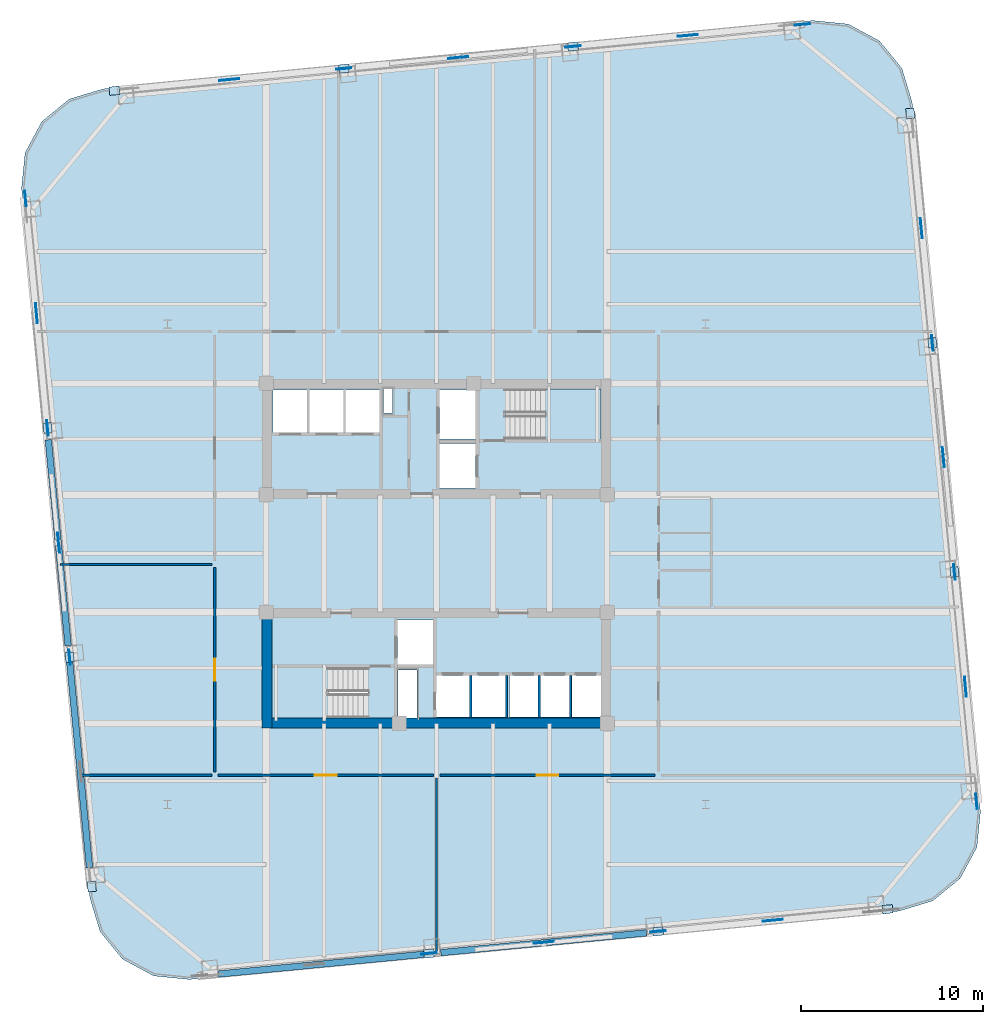
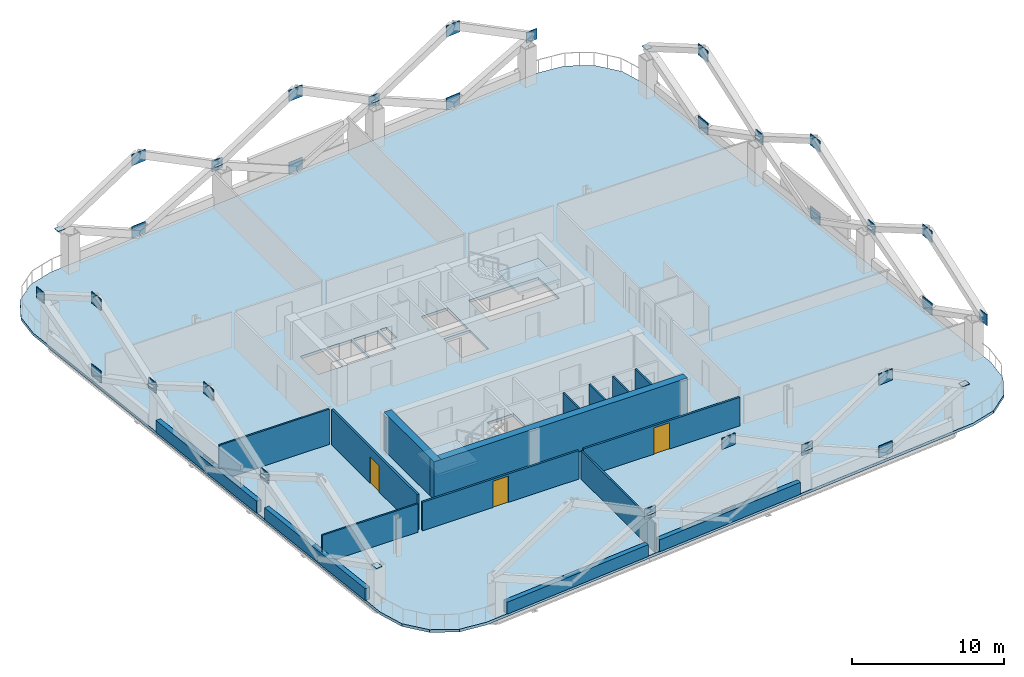
# One storey, part 3 of 8: 43 plates, 16 walls, 3 doors, 3 slabs, 3 openings, 2 elements without a shape of their own.
"""IFC4 building model written with IfcOpenShell, lengths in metres."""

from ifc_helpers import new_model, si_unit, direction, frame, frame_2d, origin, origin_2d, place, context, subcontext, project, spatial, polyline, rectangle, outline, extrude, material, layer, layer_set, type_object, element, fill, aggregate, save


model = new_model("IFC4")

# Units and contexts
model_context = context("Model", 3, precision=1e-05, world=origin(), true_north=direction((0.0, 1.0)))
body_context = subcontext(model_context, "Body", "Model", "MODEL_VIEW")
ifc_project = project(units=[si_unit("LENGTHUNIT", "METRE"), si_unit("AREAUNIT", "SQUARE_METRE"), si_unit("VOLUMEUNIT", "CUBIC_METRE"), si_unit("PLANEANGLEUNIT", "RADIAN"), si_unit("MASSUNIT", "GRAM", prefix="KILO")], contexts=[model_context])

# Site, building, storey
site_placement = place(None, origin())
site = spatial("IfcSite", under=ifc_project, at=site_placement, CompositionType="ELEMENT")
building_placement = place(site_placement, origin())
building = spatial("IfcBuilding", under=site, at=building_placement, Name="Qhalaya Broadcast Tower", CompositionType="ELEMENT")
storey_placement = place(building_placement, frame((0.0, 0.0, 93.85009765625)))
storey = spatial("IfcBuildingStorey", under=building, at=storey_placement, Name="L27", CompositionType="ELEMENT", Elevation=93.85009765625)

# Plates
ifc_material_1 = material(Name="Structural Steel ASTM A572 Grade 50", Category="steel")
ifc_layer_1 = layer(ifc_material_1, 0.054931640625, Name="Structural Steel ASTM A572 Grade 50")
ifc_layer_set_1 = layer_set([ifc_layer_1], Name="Structural Steel ASTM A572 Grade 50")
plate_type_1 = type_object("IfcPlateType", Name="Exoskeleton Diamond Node Gusset Plate NP-01", PredefinedType="USERDEFINED", material=ifc_layer_set_1)
for number, where, z_axis, x_axis, name in (
    (1, (5.882568359375, -20.78759765625, 0.2099609375), (0.0, 0.0, 1.0), (0.995396198367, 0.09584575252, 0.0), "Exoskeleton Diamond Node B2-S2-BOT"),
    (2, (5.882568359375, -20.78759765625, 5.989990234375), (0.0, 0.0, 1.0), (0.995396198367, 0.09584575252, 0.0), "Exoskeleton Diamond Node B2-S2-TOP"),
):
    element("IfcPlate", number, at=place(storey_placement, frame(where, z_axis=z_axis, x_axis=x_axis)), inside=storey, type_object=plate_type_1, Name=name, ObjectType="GUSSET_PLATE", PredefinedType="USERDEFINED", context=body_context, shape_type="SweptSolid", body=[
        extrude(rectangle(XDim=1.10009765625, YDim=0.054931640625, at=origin_2d()), origin(), (0.0, 0.0, 1.0), 0.89990234375),
    ])
plate_1_placement = place(storey_placement, frame((-0.421630859375, -21.39453125, 2.884765625), z_axis=(0.0, 0.0, 1.0), x_axis=(0.995396198367, 0.09584575252, 0.0)))
element("IfcPlate", 3, at=plate_1_placement, inside=storey, type_object=plate_type_1, Name="Exoskeleton Diamond Node B2-S2-MDL", ObjectType="GUSSET_PLATE", PredefinedType="USERDEFINED", context=body_context, shape_type="SweptSolid", body=[
    extrude(rectangle(XDim=0.85009765625, YDim=0.054931640625, at=origin_2d()), origin(), (0.0, 0.0, 1.0), 0.85009765625),
])
for number, where, z_axis, x_axis, name in (
    (4, (18.49072265625, -19.573486328125, 0.2099609375), (0.0, 0.0, 1.0), (0.995396198367, 0.09584575252, 0.0), "Exoskeleton Diamond Node B2-S3-BOT"),
    (5, (18.49072265625, -19.573486328125, 5.989990234375), (0.0, 0.0, 1.0), (0.995396198367, 0.09584575252, 0.0), "Exoskeleton Diamond Node B2-S3-TOP"),
):
    element("IfcPlate", number, at=place(storey_placement, frame(where, z_axis=z_axis, x_axis=x_axis)), inside=storey, type_object=plate_type_1, Name=name, ObjectType="GUSSET_PLATE", PredefinedType="USERDEFINED", context=body_context, shape_type="SweptSolid", body=[
        extrude(rectangle(XDim=1.10009765625, YDim=0.054931640625, at=origin_2d()), origin(), (0.0, 0.0, 1.0), 0.89990234375),
    ])
plate_2_placement = place(storey_placement, frame((12.1865234375, -20.180419921875, 2.884765625), z_axis=(0.0, 0.0, 1.0), x_axis=(0.995396198367, 0.09584575252, 0.0)))
element("IfcPlate", 6, at=plate_2_placement, inside=storey, type_object=plate_type_1, Name="Exoskeleton Diamond Node B2-S3-MDL", ObjectType="GUSSET_PLATE", PredefinedType="USERDEFINED", context=body_context, shape_type="SweptSolid", body=[
    extrude(rectangle(XDim=0.85009765625, YDim=0.054931640625, at=origin_2d()), origin(), (0.0, 0.0, 1.0), 0.85009765625),
])
for number, where, z_axis, x_axis, name in (
    (7, (29.08154296875, -6.725830078125, 0.2099609375), (0.0, 0.0, 1.0), (-0.09584575252, 0.995396198367, 0.0), "Exoskeleton Diamond Node B2-E1-BOT"),
    (8, (29.08154296875, -6.725830078125, 5.989990234375), (0.0, 0.0, 1.0), (-0.09584575252, 0.995396198367, 0.0), "Exoskeleton Diamond Node B2-E1-TOP"),
):
    element("IfcPlate", number, at=place(storey_placement, frame(where, z_axis=z_axis, x_axis=x_axis)), inside=storey, type_object=plate_type_1, Name=name, ObjectType="GUSSET_PLATE", PredefinedType="USERDEFINED", context=body_context, shape_type="SweptSolid", body=[
        extrude(rectangle(XDim=1.10009765625, YDim=0.054931640625, at=origin_2d()), origin(), (0.0, 0.0, 1.0), 0.89990234375),
    ])
plate_3_placement = place(storey_placement, frame((29.688720703125, -13.030029296875, 2.884765625), z_axis=(0.0, 0.0, 1.0), x_axis=(-0.09584575252, 0.995396198367, 0.0)))
element("IfcPlate", 9, at=plate_3_placement, inside=storey, type_object=plate_type_1, Name="Exoskeleton Diamond Node B2-E1-MDL", ObjectType="GUSSET_PLATE", PredefinedType="USERDEFINED", context=body_context, shape_type="SweptSolid", body=[
    extrude(rectangle(XDim=0.85009765625, YDim=0.054931640625, at=origin_2d()), origin(), (0.0, 0.0, 1.0), 0.85009765625),
])
for number, where, z_axis, x_axis, name in (
    (10, (27.867431640625, 5.882568359375, 0.2099609375), (0.0, 0.0, 1.0), (-0.09584575252, 0.995396198367, 0.0), "Exoskeleton Diamond Node B2-E2-BOT"),
    (11, (27.867431640625, 5.882568359375, 5.989990234375), (0.0, 0.0, 1.0), (-0.09584575252, 0.995396198367, 0.0), "Exoskeleton Diamond Node B2-E2-TOP"),
):
    element("IfcPlate", number, at=place(storey_placement, frame(where, z_axis=z_axis, x_axis=x_axis)), inside=storey, type_object=plate_type_1, Name=name, ObjectType="GUSSET_PLATE", PredefinedType="USERDEFINED", context=body_context, shape_type="SweptSolid", body=[
        extrude(rectangle(XDim=1.10009765625, YDim=0.054931640625, at=origin_2d()), origin(), (0.0, 0.0, 1.0), 0.89990234375),
    ])
plate_4_placement = place(storey_placement, frame((28.474609375, -0.421630859375, 2.884765625), z_axis=(0.0, 0.0, 1.0), x_axis=(-0.09584575252, 0.995396198367, 0.0)))
element("IfcPlate", 12, at=plate_4_placement, inside=storey, type_object=plate_type_1, Name="Exoskeleton Diamond Node B2-E2-MDL", ObjectType="GUSSET_PLATE", PredefinedType="USERDEFINED", context=body_context, shape_type="SweptSolid", body=[
    extrude(rectangle(XDim=0.85009765625, YDim=0.054931640625, at=origin_2d()), origin(), (0.0, 0.0, 1.0), 0.85009765625),
])
for number, where, z_axis, x_axis, name in (
    (13, (26.6533203125, 18.49072265625, 0.2099609375), (0.0, 0.0, 1.0), (-0.09584575252, 0.995396198367, 0.0), "Exoskeleton Diamond Node B2-E3-BOT"),
    (14, (26.6533203125, 18.49072265625, 5.989990234375), (0.0, 0.0, 1.0), (-0.09584575252, 0.995396198367, 0.0), "Exoskeleton Diamond Node B2-E3-TOP"),
):
    element("IfcPlate", number, at=place(storey_placement, frame(where, z_axis=z_axis, x_axis=x_axis)), inside=storey, type_object=plate_type_1, Name=name, ObjectType="GUSSET_PLATE", PredefinedType="USERDEFINED", context=body_context, shape_type="SweptSolid", body=[
        extrude(rectangle(XDim=1.10009765625, YDim=0.054931640625, at=origin_2d()), origin(), (0.0, 0.0, 1.0), 0.89990234375),
    ])
plate_5_placement = place(storey_placement, frame((27.260498046875, 12.1865234375, 2.884765625), z_axis=(0.0, 0.0, 1.0), x_axis=(-0.09584575252, 0.995396198367, 0.0)))
element("IfcPlate", 15, at=plate_5_placement, inside=storey, type_object=plate_type_1, Name="Exoskeleton Diamond Node B2-E3-MDL", ObjectType="GUSSET_PLATE", PredefinedType="USERDEFINED", context=body_context, shape_type="SweptSolid", body=[
    extrude(rectangle(XDim=0.85009765625, YDim=0.054931640625, at=origin_2d()), origin(), (0.0, 0.0, 1.0), 0.85009765625),
])
for number, where, z_axis, x_axis, name in (
    (16, (13.805908203125, 29.08154296875, 0.2099609375), (0.0, 0.0, 1.0), (0.995396198367, 0.09584575252, 0.0), "Exoskeleton Diamond Node B2-N1-BOT"),
    (17, (13.805908203125, 29.08154296875, 5.989990234375), (0.0, 0.0, 1.0), (0.995396198367, 0.09584575252, 0.0), "Exoskeleton Diamond Node B2-N1-TOP"),
):
    element("IfcPlate", number, at=place(storey_placement, frame(where, z_axis=z_axis, x_axis=x_axis)), inside=storey, type_object=plate_type_1, Name=name, ObjectType="GUSSET_PLATE", PredefinedType="USERDEFINED", context=body_context, shape_type="SweptSolid", body=[
        extrude(rectangle(XDim=1.10009765625, YDim=0.054931640625, at=origin_2d()), origin(), (0.0, 0.0, 1.0), 0.89990234375),
    ])
plate_6_placement = place(storey_placement, frame((20.110107421875, 29.688720703125, 2.884765625), z_axis=(0.0, 0.0, 1.0), x_axis=(0.995396198367, 0.09584575252, 0.0)))
element("IfcPlate", 18, at=plate_6_placement, inside=storey, type_object=plate_type_1, Name="Exoskeleton Diamond Node B2-N1-MDL", ObjectType="GUSSET_PLATE", PredefinedType="USERDEFINED", context=body_context, shape_type="SweptSolid", body=[
    extrude(rectangle(XDim=0.85009765625, YDim=0.054931640625, at=origin_2d()), origin(), (0.0, 0.0, 1.0), 0.85009765625),
])
for number, where, z_axis, x_axis, name in (
    (19, (1.197509765625, 27.867431640625, 0.2099609375), (0.0, 0.0, 1.0), (0.995396198367, 0.09584575252, 0.0), "Exoskeleton Diamond Node B2-N2-BOT"),
    (20, (1.197509765625, 27.867431640625, 5.989990234375), (0.0, 0.0, 1.0), (0.995396198367, 0.09584575252, 0.0), "Exoskeleton Diamond Node B2-N2-TOP"),
):
    element("IfcPlate", number, at=place(storey_placement, frame(where, z_axis=z_axis, x_axis=x_axis)), inside=storey, type_object=plate_type_1, Name=name, ObjectType="GUSSET_PLATE", PredefinedType="USERDEFINED", context=body_context, shape_type="SweptSolid", body=[
        extrude(rectangle(XDim=1.10009765625, YDim=0.054931640625, at=origin_2d()), origin(), (0.0, 0.0, 1.0), 0.89990234375),
    ])
plate_7_placement = place(storey_placement, frame((7.501708984375, 28.474609375, 2.884765625), z_axis=(0.0, 0.0, 1.0), x_axis=(0.995396198367, 0.09584575252, 0.0)))
element("IfcPlate", 21, at=plate_7_placement, inside=storey, type_object=plate_type_1, Name="Exoskeleton Diamond Node B2-N2-MDL", ObjectType="GUSSET_PLATE", PredefinedType="USERDEFINED", context=body_context, shape_type="SweptSolid", body=[
    extrude(rectangle(XDim=0.85009765625, YDim=0.054931640625, at=origin_2d()), origin(), (0.0, 0.0, 1.0), 0.85009765625),
])
for number, where, z_axis, x_axis, name in (
    (22, (-11.410888671875, 26.6533203125, 0.2099609375), (0.0, 0.0, 1.0), (0.995396198367, 0.09584575252, 0.0), "Exoskeleton Diamond Node B2-N3-BOT"),
    (23, (-11.410888671875, 26.6533203125, 5.989990234375), (0.0, 0.0, 1.0), (0.995396198367, 0.09584575252, 0.0), "Exoskeleton Diamond Node B2-N3-TOP"),
):
    element("IfcPlate", number, at=place(storey_placement, frame(where, z_axis=z_axis, x_axis=x_axis)), inside=storey, type_object=plate_type_1, Name=name, ObjectType="GUSSET_PLATE", PredefinedType="USERDEFINED", context=body_context, shape_type="SweptSolid", body=[
        extrude(rectangle(XDim=1.10009765625, YDim=0.054931640625, at=origin_2d()), origin(), (0.0, 0.0, 1.0), 0.89990234375),
    ])
plate_8_placement = place(storey_placement, frame((-5.106689453125, 27.260498046875, 2.884765625), z_axis=(0.0, 0.0, 1.0), x_axis=(0.995396198367, 0.09584575252, 0.0)))
element("IfcPlate", 24, at=plate_8_placement, inside=storey, type_object=plate_type_1, Name="Exoskeleton Diamond Node B2-N3-MDL", ObjectType="GUSSET_PLATE", PredefinedType="USERDEFINED", context=body_context, shape_type="SweptSolid", body=[
    extrude(rectangle(XDim=0.85009765625, YDim=0.054931640625, at=origin_2d()), origin(), (0.0, 0.0, 1.0), 0.85009765625),
])
for number, where, z_axis, x_axis, name in (
    (25, (-22.00146484375, 13.805908203125, 0.2099609375), (0.0, 0.0, 1.0), (-0.09584575252, 0.995396198367, 0.0), "Exoskeleton Diamond Node B2-W1-BOT"),
    (26, (-22.00146484375, 13.805908203125, 5.989990234375), (0.0, 0.0, 1.0), (-0.09584575252, 0.995396198367, 0.0), "Exoskeleton Diamond Node B2-W1-TOP"),
):
    element("IfcPlate", number, at=place(storey_placement, frame(where, z_axis=z_axis, x_axis=x_axis)), inside=storey, type_object=plate_type_1, Name=name, ObjectType="GUSSET_PLATE", PredefinedType="USERDEFINED", context=body_context, shape_type="SweptSolid", body=[
        extrude(rectangle(XDim=1.10009765625, YDim=0.054931640625, at=origin_2d()), origin(), (0.0, 0.0, 1.0), 0.89990234375),
    ])
plate_9_placement = place(storey_placement, frame((-22.608642578125, 20.110107421875, 2.884765625), z_axis=(0.0, 0.0, 1.0), x_axis=(-0.09584575252, 0.995396198367, 0.0)))
element("IfcPlate", 27, at=plate_9_placement, inside=storey, type_object=plate_type_1, Name="Exoskeleton Diamond Node B2-W1-MDL", ObjectType="GUSSET_PLATE", PredefinedType="USERDEFINED", context=body_context, shape_type="SweptSolid", body=[
    extrude(rectangle(XDim=0.85009765625, YDim=0.054931640625, at=origin_2d()), origin(), (0.0, 0.0, 1.0), 0.85009765625),
])
for number, where, z_axis, x_axis, name in (
    (28, (-20.78759765625, 1.197509765625, 0.2099609375), (0.0, 0.0, 1.0), (-0.09584575252, 0.995396198367, 0.0), "Exoskeleton Diamond Node B2-W2-BOT"),
    (29, (-20.78759765625, 1.197509765625, 5.989990234375), (0.0, 0.0, 1.0), (-0.09584575252, 0.995396198367, 0.0), "Exoskeleton Diamond Node B2-W2-TOP"),
):
    element("IfcPlate", number, at=place(storey_placement, frame(where, z_axis=z_axis, x_axis=x_axis)), inside=storey, type_object=plate_type_1, Name=name, ObjectType="GUSSET_PLATE", PredefinedType="USERDEFINED", context=body_context, shape_type="SweptSolid", body=[
        extrude(rectangle(XDim=1.10009765625, YDim=0.054931640625, at=origin_2d()), origin(), (0.0, 0.0, 1.0), 0.89990234375),
    ])
for number, where, z_axis, x_axis, name in (
    (30, (-21.39453125, 7.501708984375, 2.884765625), (0.0, 0.0, 1.0), (-0.09584575252, 0.995396198367, 0.0), "Exoskeleton Diamond Node B2-W2-MDL"),
    (31, (-20.180419921875, -5.106689453125, 2.884765625), (0.0, 0.0, 1.0), (-0.09584575252, 0.995396198367, 0.0), "Exoskeleton Diamond Node B2-W3-MDL"),
):
    element("IfcPlate", number, at=place(storey_placement, frame(where, z_axis=z_axis, x_axis=x_axis)), inside=storey, type_object=plate_type_1, Name=name, ObjectType="GUSSET_PLATE", PredefinedType="USERDEFINED", context=body_context, shape_type="SweptSolid", body=[
        extrude(rectangle(XDim=0.85009765625, YDim=0.054931640625, at=origin_2d()), origin(), (0.0, 0.0, 1.0), 0.85009765625),
    ])
ifc_layer_2 = layer(ifc_material_1, 0.4599609375, Name="Structural Steel ASTM A572 Grade 50")
ifc_layer_set_2 = layer_set([ifc_layer_2], Name="Structural Steel ASTM A572 Grade 50")
plate_type_2 = type_object("IfcPlateType", Name="Hollow Box Member End Cap Plate CP-01", PredefinedType="USERDEFINED", material=ifc_layer_set_2)
for number, where, z_axis, x_axis, name in (
    (32, (-0.421630859375, -21.39453125, 3.2939453125), (0.0, 0.0, 1.0), (0.995396198367, 0.09584575252, 0.0), "Exoskeleton Hollow End Cap B2-S1"),
    (33, (12.1865234375, -20.180419921875, 3.2939453125), (0.0, 0.0, 1.0), (0.995396198367, 0.09584575252, 0.0), "Exoskeleton Hollow End Cap B2-S2"),
    (34, (24.794921875, -18.96630859375, 3.2939453125), (0.0, 0.0, 1.0), (0.995396198367, 0.09584575252, 0.0), "Exoskeleton Hollow End Cap B2-S3"),
    (35, (28.474609375, -0.421630859375, 3.2939453125), (0.0, 0.0, 1.0), (-0.09584575252, 0.995396198367, 0.0), "Exoskeleton Hollow End Cap B2-E1"),
    (36, (27.260498046875, 12.1865234375, 3.2939453125), (0.0, 0.0, 1.0), (-0.09584575252, 0.995396198367, 0.0), "Exoskeleton Hollow End Cap B2-E2"),
    (37, (26.04638671875, 24.794921875, 3.2939453125), (0.0, 0.0, 1.0), (-0.09584575252, 0.995396198367, 0.0), "Exoskeleton Hollow End Cap B2-E3"),
    (38, (7.501708984375, 28.474609375, 3.2939453125), (0.0, 0.0, 1.0), (0.995396198367, 0.09584575252, 0.0), "Exoskeleton Hollow End Cap B2-N1"),
    (39, (-5.106689453125, 27.260498046875, 3.2939453125), (0.0, 0.0, 1.0), (0.995396198367, 0.09584575252, 0.0), "Exoskeleton Hollow End Cap B2-N2"),
    (40, (-17.715087890625, 26.04638671875, 3.2939453125), (0.0, 0.0, 1.0), (0.995396198367, 0.09584575252, 0.0), "Exoskeleton Hollow End Cap B2-N3"),
    (41, (-21.39453125, 7.501708984375, 3.2939453125), (0.0, 0.0, 1.0), (-0.09584575252, 0.995396198367, 0.0), "Exoskeleton Hollow End Cap B2-W1"),
    (42, (-20.180419921875, -5.106689453125, 3.2939453125), (0.0, 0.0, 1.0), (-0.09584575252, 0.995396198367, 0.0), "Exoskeleton Hollow End Cap B2-W2"),
    (43, (-18.96630859375, -17.715087890625, 3.2939453125), (0.0, 0.0, 1.0), (-0.09584575252, 0.995396198367, 0.0), "Exoskeleton Hollow End Cap B2-W3"),
):
    element("IfcPlate", number, at=place(storey_placement, frame(where, z_axis=z_axis, x_axis=x_axis)), inside=storey, type_object=plate_type_2, Name=name, ObjectType="COVER_PLATE", PredefinedType="USERDEFINED", context=body_context, shape_type="SweptSolid", body=[
        extrude(rectangle(XDim=0.56005859375, YDim=0.4599609375, at=origin_2d()), origin(), (0.0, 0.0, 1.0), 0.031982421875),
    ])

# Stair, slab
ifc_material_2 = material(Name="Concrete C40/50", Category="concrete")
stair_type = type_object("IfcStairType", Name="Protected Dogleg Core Stair 3150", PredefinedType="TWO_STRAIGHT_RUN_STAIR", material=ifc_material_2)
stair_1_placement = place(storey_placement, origin())
stair_1 = element("IfcStair", 44, at=stair_1_placement, inside=storey, type_object=stair_type, Name="L27 North Core Exit Stair ST-1", PredefinedType="TWO_STRAIGHT_RUN_STAIR")
ifc_layer_3 = layer(ifc_material_2, 0.199951171875, Name="Concrete C40/50")
ifc_layer_set_3 = layer_set([ifc_layer_3], Name="Concrete C40/50")
slab_type_1 = type_object("IfcSlabType", Name="Stair & Ramp Half-Landing Slab 200", PredefinedType="LANDING", material=ifc_layer_set_3)
slab_1_placement = place(storey_placement, frame((0.0, 0.0, 1.324951171875)))
slab_1 = element("IfcSlab", 45, at=slab_1_placement, type_object=slab_type_1, Name="ST-1 landing 1", PredefinedType="LANDING", context=body_context, shape_type="SweptSolid", body=[
    extrude(outline(polyline([(5.955078125, 6.8798828125), (9.050048828125, 6.8798828125), (9.050048828125, 9.639892578125), (5.955078125, 9.639892578125), (5.955078125, 6.8798828125)])), origin(), (0.0, 0.0, 1.0), 0.199951171875),
])
aggregate(stair_1, [slab_1])

stair_2_placement = place(storey_placement, origin())
stair_2 = element("IfcStair", 46, at=stair_2_placement, inside=storey, type_object=stair_type, Name="L27 South Core Exit Stair ST-2", PredefinedType="TWO_STRAIGHT_RUN_STAIR")
slab_2_placement = place(storey_placement, frame((0.0, 0.0, 1.324951171875)))
slab_2 = element("IfcSlab", 47, at=slab_2_placement, type_object=slab_type_1, Name="ST-2 landing 1", PredefinedType="LANDING", context=body_context, shape_type="SweptSolid", body=[
    extrude(outline(polyline([(-5.955078125, -5.679931640625), (-9.050048828125, -5.679931640625), (-9.050048828125, -8.43994140625), (-5.955078125, -8.43994140625), (-5.955078125, -5.679931640625)])), origin(), (0.0, 0.0, 1.0), 0.199951171875),
])
aggregate(stair_2, [slab_2])

# Slab
ifc_layer_4 = layer(ifc_material_2, 0.219970703125, Name="Concrete C40/50")
ifc_layer_set_4 = layer_set([ifc_layer_4], Name="Concrete C40/50")
slab_type_2 = type_object("IfcSlabType", Name="Tower Composite Floor Slab 220", PredefinedType="FLOOR", material=ifc_layer_set_4)
slab_3_placement = place(storey_placement, frame((0.0, 0.0, -0.22021484375)))
element("IfcSlab", 48, at=slab_3_placement, inside=storey, type_object=slab_type_2, Name="L27 Main Structural Floor Slab", PredefinedType="FLOOR", context=body_context, shape_type="SweptSolid", body=[
    extrude(outline(polyline([(25.40771484375, -19.068115234375), (27.275634765625, -18.505859375), (28.78662109375, -17.271484375), (29.7099609375, -15.552978515625), (29.9052734375, -13.612060546875), (26.148193359375, 25.40771484375), (25.5859375, 27.275634765625), (24.3515625, 28.78662109375), (22.633056640625, 29.7099609375), (20.69189453125, 29.9052734375), (-18.32763671875, 26.148193359375), (-20.19580078125, 25.5859375), (-21.70654296875, 24.3515625), (-22.6298828125, 22.633056640625), (-22.8251953125, 20.69189453125), (-19.068115234375, -18.32763671875), (-18.505859375, -20.19580078125), (-17.271484375, -21.70654296875), (-15.552978515625, -22.6298828125), (-13.612060546875, -22.8251953125), (25.40771484375, -19.068115234375)]), holes=[polyline([(3.784912109375, 9.639892578125), (9.050048828125, 9.639892578125), (9.050048828125, 6.8798828125), (3.784912109375, 6.8798828125), (3.784912109375, 9.639892578125)]), polyline([(-3.784912109375, -8.43994140625), (-9.050048828125, -8.43994140625), (-9.050048828125, -5.679931640625), (-3.784912109375, -5.679931640625), (-3.784912109375, -8.43994140625)]), polyline([(0.14990234375, 6.64990234375), (2.14990234375, 6.64990234375), (2.14990234375, 4.199951171875), (0.14990234375, 4.199951171875), (0.14990234375, 6.64990234375)]), polyline([(0.14990234375, 9.60009765625), (2.14990234375, 9.60009765625), (2.14990234375, 6.89990234375), (0.14990234375, 6.89990234375), (0.14990234375, 9.60009765625)]), polyline([(-2.14990234375, -3.050048828125), (-0.14990234375, -3.050048828125), (-0.14990234375, -5.5), (-2.14990234375, -5.5), (-2.14990234375, -3.050048828125)]), polyline([(-9.0, 9.60009765625), (-7.1201171875, 9.60009765625), (-7.1201171875, 7.25), (-9.0, 7.25), (-9.0, 9.60009765625)]), polyline([(-7.0, 9.60009765625), (-5.1201171875, 9.60009765625), (-5.1201171875, 7.25), (-7.0, 7.25), (-7.0, 9.60009765625)]), polyline([(-5.0, 9.60009765625), (-3.1201171875, 9.60009765625), (-3.1201171875, 7.25), (-5.0, 7.25), (-5.0, 9.60009765625)]), polyline([(-0.050048828125, -6.10009765625), (1.830078125, -6.10009765625), (1.830078125, -8.39990234375), (-0.050048828125, -8.39990234375), (-0.050048828125, -6.10009765625)]), polyline([(1.949951171875, -6.10009765625), (3.830078125, -6.10009765625), (3.830078125, -8.39990234375), (1.949951171875, -8.39990234375), (1.949951171875, -6.10009765625)]), polyline([(4.0, -6.10009765625), (5.60009765625, -6.10009765625), (5.60009765625, -8.39990234375), (4.0, -8.39990234375), (4.0, -6.10009765625)]), polyline([(5.719970703125, -6.10009765625), (7.320068359375, -6.10009765625), (7.320068359375, -8.39990234375), (5.719970703125, -8.39990234375), (5.719970703125, -6.10009765625)]), polyline([(7.43994140625, -6.10009765625), (9.0400390625, -6.10009765625), (9.0400390625, -8.39990234375), (7.43994140625, -8.39990234375), (7.43994140625, -6.10009765625)]), polyline([(-2.919921875, 9.659912109375), (-2.419921875, 9.659912109375), (-2.419921875, 8.320068359375), (-2.919921875, 8.320068359375), (-2.919921875, 9.659912109375)]), polyline([(-2.1201171875, -5.820068359375), (-1.080078125, -5.820068359375), (-1.080078125, -8.4599609375), (-2.1201171875, -8.4599609375), (-2.1201171875, -5.820068359375)])]), origin(), (0.0, 0.0, 1.0), 0.22021484375),
])

# Wall, opening, door
ifc_material_3 = material(Name="Gypsum Acoustic Partition")
ifc_layer_5 = layer(ifc_material_3, 0.14990234375, Name="Gypsum Acoustic Partition")
ifc_layer_set_5 = layer_set([ifc_layer_5], Name="Gypsum Acoustic Partition")
wall_type_1 = type_object("IfcWallType", Name="Corridor & Tenancy Acoustic Partition 150", PredefinedType="PARTITIONING", material=ifc_layer_set_5)
wall_1_placement = place(storey_placement, frame((-12.02001953125, -11.60009765625, 0.0), z_axis=(0.0, 0.0, 1.0), x_axis=(1.0, 0.0, 0.0)))
wall_1 = element("IfcWall", 49, at=wall_1_placement, inside=storey, type_object=wall_type_1, Name="L27 Partition Wall W-COR-04", PredefinedType="PARTITIONING", context=body_context, shape_type="SweptSolid", body=[
    extrude(rectangle(XDim=11.840087890625, YDim=0.14990234375, at=frame_2d((5.919921875, 0.0))), origin(), (0.0, 0.0, 1.0), 2.27392578125),
])
opening_1_placement = place(wall_1_placement, frame((5.320068359375, 0.0, 0.0)))
opening_1 = element("IfcOpeningElement", 50, at=opening_1_placement, cuts=wall_1, Name="Opening D11", PredefinedType="OPENING", context=body_context, shape_type="SweptSolid", body=[
    extrude(rectangle(XDim=1.199951171875, YDim=2.10009765625, at=frame_2d((0.60009765625, 1.050048828125))), frame((0.0, 0.0869140625, 0.0), z_axis=(0.0, -1.0, 0.0), x_axis=(1.0, 0.0, 0.0)), (0.0, 0.0, 1.0), 0.173828125),
])
ifc_material_4 = material(Name="Anodised Aluminium Glazed Door", Category="aluminium")
door_type = type_object("IfcDoorType", Name="Conference, Boardroom & Studio Control Door D11", OperationType="NOTDEFINED", PredefinedType="DOOR", material=ifc_material_4)
door_1_placement = place(opening_1_placement, origin())
door_1 = element("IfcDoor", 51, at=door_1_placement, inside=storey, type_object=door_type, Name="L27 Door D-RM04", OperationType="SINGLE_SWING_RIGHT", OverallHeight=2.10009765625, OverallWidth=1.199951171875, PredefinedType="DOOR", context=body_context, shape_type="SweptSolid", body=[
    extrude(rectangle(XDim=1.199951171875, YDim=2.10009765625, at=frame_2d((0.60009765625, 1.050048828125))), frame((0.0, 0.02490234375, 0.0), z_axis=(0.0, -1.0, 0.0), x_axis=(1.0, 0.0, 0.0)), (0.0, 0.0, 1.0), 0.050048828125),
])
fill(opening_1, door_1)

wall_2_placement = place(storey_placement, frame((0.179931640625, -11.60009765625, 0.0), z_axis=(0.0, 0.0, 1.0), x_axis=(1.0, 0.0, 0.0)))
wall_2 = element("IfcWall", 52, at=wall_2_placement, inside=storey, type_object=wall_type_1, Name="L27 Partition Wall W-COR-05", PredefinedType="PARTITIONING", context=body_context, shape_type="SweptSolid", body=[
    extrude(rectangle(XDim=11.840087890625, YDim=0.14990234375, at=frame_2d((5.919921875, 0.0))), origin(), (0.0, 0.0, 1.0), 2.27392578125),
])
opening_2_placement = place(wall_2_placement, frame((5.320068359375, 0.0, 0.0)))
opening_2 = element("IfcOpeningElement", 53, at=opening_2_placement, cuts=wall_2, Name="Opening D11", PredefinedType="OPENING", context=body_context, shape_type="SweptSolid", body=[
    extrude(rectangle(XDim=1.199951171875, YDim=2.10009765625, at=frame_2d((0.60009765625, 1.050048828125))), frame((0.0, 0.0869140625, 0.0), z_axis=(0.0, -1.0, 0.0), x_axis=(1.0, 0.0, 0.0)), (0.0, 0.0, 1.0), 0.173828125),
])
door_2_placement = place(opening_2_placement, origin())
door_2 = element("IfcDoor", 54, at=door_2_placement, inside=storey, type_object=door_type, Name="L27 Door D-RM05", OperationType="SINGLE_SWING_LEFT", OverallHeight=2.10009765625, OverallWidth=1.199951171875, PredefinedType="DOOR", context=body_context, shape_type="SweptSolid", body=[
    extrude(rectangle(XDim=1.199951171875, YDim=2.10009765625, at=frame_2d((0.60009765625, 1.050048828125))), frame((0.0, 0.02490234375, 0.0), z_axis=(0.0, -1.0, 0.0), x_axis=(1.0, 0.0, 0.0)), (0.0, 0.0, 1.0), 0.050048828125),
])
fill(opening_2, door_2)

wall_3_placement = place(storey_placement, frame((-12.199951171875, -11.419921875, 0.0), z_axis=(0.0, 0.0, 1.0), x_axis=(0.0, 1.0, 0.0)))
wall_3 = element("IfcWall", 55, at=wall_3_placement, inside=storey, type_object=wall_type_1, Name="L27 Partition Wall W-COR-06", PredefinedType="PARTITIONING", context=body_context, shape_type="SweptSolid", body=[
    extrude(rectangle(XDim=11.239990234375, YDim=0.14990234375, at=frame_2d((5.6201171875, 0.0))), origin(), (0.0, 0.0, 1.0), 2.829833984375),
])
opening_3_placement = place(wall_3_placement, frame((5.02001953125, 0.0, 0.0)))
opening_3 = element("IfcOpeningElement", 56, at=opening_3_placement, cuts=wall_3, Name="Opening D11", PredefinedType="OPENING", context=body_context, shape_type="SweptSolid", body=[
    extrude(rectangle(XDim=1.199951171875, YDim=2.10009765625, at=frame_2d((0.60009765625, 1.050048828125))), frame((0.0, 0.0869140625, 0.0), z_axis=(0.0, -1.0, 0.0), x_axis=(1.0, 0.0, 0.0)), (0.0, 0.0, 1.0), 0.173828125),
])
door_3_placement = place(opening_3_placement, origin())
door_3 = element("IfcDoor", 57, at=door_3_placement, inside=storey, type_object=door_type, Name="L27 Door D-RM06", OperationType="SINGLE_SWING_RIGHT", OverallHeight=2.10009765625, OverallWidth=1.199951171875, PredefinedType="DOOR", context=body_context, shape_type="SweptSolid", body=[
    extrude(rectangle(XDim=1.199951171875, YDim=2.10009765625, at=frame_2d((0.60009765625, 1.050048828125))), frame((0.0, 0.02490234375, 0.0), z_axis=(0.0, -1.0, 0.0), x_axis=(1.0, 0.0, 0.0)), (0.0, 0.0, 1.0), 0.050048828125),
])
fill(opening_3, door_3)

# Walls
ifc_material_5 = material(Name="Precast Concrete C40/50", Category="concrete")
ifc_layer_6 = layer(ifc_material_5, 0.360107421875, Name="Precast Concrete C40/50")
ifc_layer_set_6 = layer_set([ifc_layer_6], Name="Precast Concrete C40/50")
wall_type_2 = type_object("IfcWallType", Name="Insulated Precast Terracotta Exterior Wall 360", PredefinedType="SOLIDWALL", material=ifc_layer_set_6)
wall_4_placement = place(storey_placement, frame((11.54150390625, -20.2626953125, 0.0), z_axis=(0.0, 0.0, 1.0), x_axis=(-0.995396860969, -0.09583887089, 0.0)))
element("IfcWall", 58, at=wall_4_placement, inside=storey, type_object=wall_type_2, Name="L27 Exoskeleton Diagrid Infill Wall S2", PredefinedType="SOLIDWALL", context=body_context, shape_type="SweptSolid", body=[
    extrude(rectangle(XDim=11.366455078125, YDim=0.360107421875, at=frame_2d((5.68310546875, 0.0))), origin(), (0.0, 0.0, 1.0), 0.949951171875),
])
for number, where, z_axis, x_axis, name in (
    (59, (-0.668701171875, -21.4384765625, 0.0), (0.0, 0.0, 1.0), (-0.995396283367, -0.095844869758, 0.0), "L27 Exoskeleton Diagrid Infill Wall S3"),
    (60, (-19.085693359375, -16.68359375, 0.0), (0.0, 0.0, 1.0), (-0.095866128796, 0.995394236145, 0.0), "L27 Exoskeleton Diagrid Infill Wall W1"),
):
    element("IfcWall", number, at=place(storey_placement, frame(where, z_axis=z_axis, x_axis=x_axis)), inside=storey, type_object=wall_type_2, Name=name, PredefinedType="SOLIDWALL", context=body_context, shape_type="SweptSolid", body=[
        extrude(rectangle(XDim=11.378662109375, YDim=0.360107421875, at=frame_2d((5.689453125, 0.0))), origin(), (0.0, 0.0, 1.0), 0.949951171875),
    ])
wall_5_placement = place(storey_placement, frame((-20.2626953125, -4.461669921875, 0.0), z_axis=(0.0, 0.0, 1.0), x_axis=(-0.095836821895, 0.995397058248, 0.0)))
element("IfcWall", 61, at=wall_5_placement, inside=storey, type_object=wall_type_2, Name="L27 Exoskeleton Diagrid Infill Wall W2", PredefinedType="SOLIDWALL", context=body_context, shape_type="SweptSolid", body=[
    extrude(rectangle(XDim=11.36669921875, YDim=0.360107421875, at=frame_2d((5.683349609375, 0.0))), origin(), (0.0, 0.0, 1.0), 0.949951171875),
])
ifc_material_6 = material(Name="Concrete C60/75", Category="concrete")
ifc_layer_7 = layer(ifc_material_6, 0.550048828125, Name="Concrete C60/75")
ifc_layer_set_7 = layer_set([ifc_layer_7], Name="Concrete C60/75")
wall_type_3 = type_object("IfcWallType", Name="Lower Split-Core Shear Wall 550", PredefinedType="SHEAR", material=ifc_layer_set_7)
wall_6_placement = place(storey_placement, frame((-9.60009765625, -8.72509765625, 0.0), z_axis=(0.0, 0.0, 1.0), x_axis=(1.0, 0.0, 0.0)))
element("IfcWall", 62, at=wall_6_placement, inside=storey, type_object=wall_type_3, Name="L27 Split-Core Shear Wall CW-SS", PredefinedType="SHEAR", context=body_context, shape_type="SweptSolid", body=[
    extrude(rectangle(XDim=19.2001953125, YDim=0.550048828125, at=frame_2d((9.60009765625, 0.0))), origin(), (0.0, 0.0, 1.0), 3.0498046875),
])
wall_7_placement = place(storey_placement, frame((-9.324951171875, -9.0, 0.0), z_axis=(0.0, 0.0, 1.0), x_axis=(0.0, 1.0, 0.0)))
element("IfcWall", 63, at=wall_7_placement, inside=storey, type_object=wall_type_3, Name="L27 Split-Core Shear Wall CW-SW", PredefinedType="SHEAR", context=body_context, shape_type="SweptSolid", body=[
    extrude(rectangle(XDim=6.60009765625, YDim=0.550048828125, at=frame_2d((3.300048828125, 0.0))), origin(), (0.0, 0.0, 1.0), 3.0498046875),
])
ifc_layer_8 = layer(ifc_material_3, 0.1201171875, Name="Gypsum Acoustic Partition")
ifc_layer_set_8 = layer_set([ifc_layer_8], Name="Gypsum Acoustic Partition")
wall_type_4 = type_object("IfcWallType", Name="Office, Booth & Sanitary Partition 120", PredefinedType="PARTITIONING", material=ifc_layer_set_8)
for number, where, z_axis, x_axis, name in (
    (64, (1.8798828125, -8.429931640625, 0.0), (0.0, 0.0, 1.0), (0.0, 1.0, 0.0), "L27 Partition Wall SCW-MD4"),
    (65, (3.85009765625, -8.429931640625, 0.0), (0.0, 0.0, 1.0), (0.0, 1.0, 0.0), "L27 Partition Wall SCW-MD5"),
    (66, (5.639892578125, -8.429931640625, 0.0), (0.0, 0.0, 1.0), (0.0, 1.0, 0.0), "L27 Partition Wall SCW-HD6"),
    (67, (7.360107421875, -8.429931640625, 0.0), (0.0, 0.0, 1.0), (0.0, 1.0, 0.0), "L27 Partition Wall SCW-HD7"),
):
    element("IfcWall", number, at=place(storey_placement, frame(where, z_axis=z_axis, x_axis=x_axis)), inside=storey, type_object=wall_type_4, Name=name, PredefinedType="PARTITIONING", context=body_context, shape_type="SweptSolid", body=[
        extrude(rectangle(XDim=2.329833984375, YDim=0.1201171875, at=frame_2d((1.1650390625, 0.0))), origin(), (0.0, 0.0, 1.0), 2.829833984375),
    ])
wall_8_placement = place(storey_placement, frame((-19.595458984375, -11.60009765625, 0.0), z_axis=(0.0, 0.0, 1.0), x_axis=(1.0, 0.0, 0.0)))
element("IfcWall", 68, at=wall_8_placement, inside=storey, type_object=wall_type_4, Name="L27 Partition Wall W-BNDW2", PredefinedType="PARTITIONING", context=body_context, shape_type="SweptSolid", body=[
    extrude(rectangle(XDim=7.25537109375, YDim=0.1201171875, at=frame_2d((3.627685546875, 0.0))), origin(), (0.0, 0.0, 1.0), 2.27392578125),
])
wall_9_placement = place(storey_placement, frame((0.0, -21.39404296875, 0.0), z_axis=(0.0, 0.0, 1.0), x_axis=(0.0, 1.0, 0.0)))
element("IfcWall", 69, at=wall_9_placement, inside=storey, type_object=wall_type_4, Name="L27 Partition Wall W-DIVS1", PredefinedType="PARTITIONING", context=body_context, shape_type="SweptSolid", body=[
    extrude(rectangle(XDim=9.634033203125, YDim=0.1201171875, at=frame_2d((4.81689453125, 0.0))), origin(), (0.0, 0.0, 1.0), 2.27392578125),
])
wall_10_placement = place(storey_placement, frame((-20.71240234375, 0.0, 0.0), z_axis=(0.0, 0.0, 1.0), x_axis=(1.0, 0.0, 0.0)))
element("IfcWall", 70, at=wall_10_placement, inside=storey, type_object=wall_type_4, Name="L27 Partition Wall W-DIVW1", PredefinedType="PARTITIONING", context=body_context, shape_type="SweptSolid", body=[
    extrude(rectangle(XDim=8.352294921875, YDim=0.1201171875, at=frame_2d((4.17626953125, 0.0))), origin(), (0.0, 0.0, 1.0), 2.829833984375),
])

save(model, "model.ifc")
